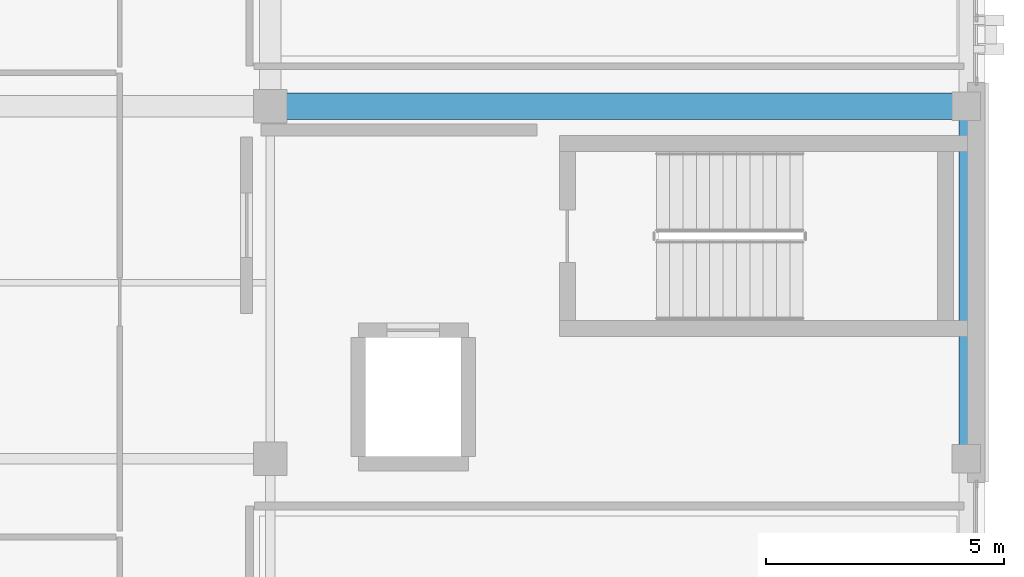
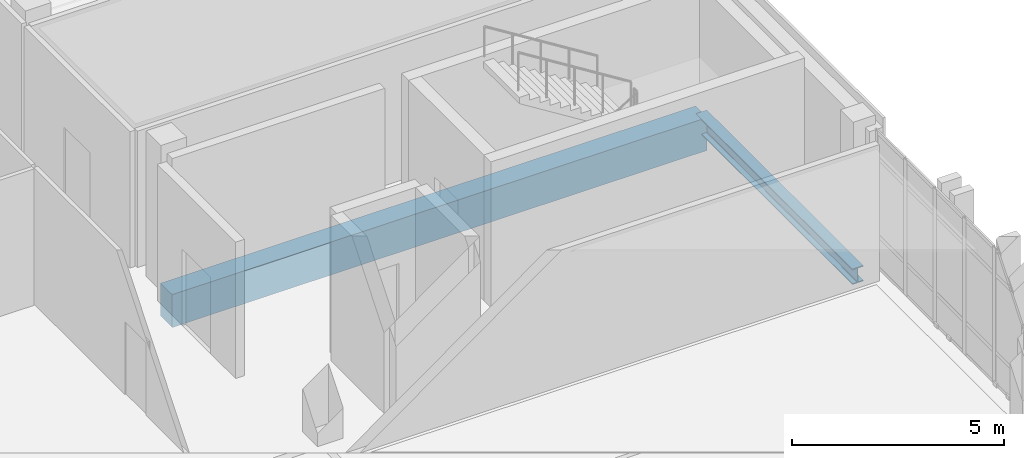
# One storey, part 37 of 77: 2 beams.
"""IFC4 building model written with IfcOpenShell, lengths in metres."""

from ifc_helpers import new_model, si_unit, direction, frame, origin, origin_2d, place, context, subcontext, project, spatial, rectangle, i_section, extrude, material, material_profile, profile_set, type_object, element, save


model = new_model("IFC4")

# Units and contexts
model_context = context("Model", 3, precision=1e-05, world=origin(), true_north=direction((0.0, 1.0)))
body_context = subcontext(model_context, "Body", "Model", "MODEL_VIEW")
ifc_project = project(units=[si_unit("LENGTHUNIT", "METRE"), si_unit("AREAUNIT", "SQUARE_METRE"), si_unit("VOLUMEUNIT", "CUBIC_METRE"), si_unit("PLANEANGLEUNIT", "RADIAN"), si_unit("MASSUNIT", "GRAM", prefix="KILO")], contexts=[model_context])

# Site, building, storey
site_placement = place(None, origin())
site = spatial("IfcSite", under=ifc_project, at=site_placement, CompositionType="ELEMENT")
building_placement = place(site_placement, origin())
building = spatial("IfcBuilding", under=site, at=building_placement, Name="Qalavern Law Courts", CompositionType="ELEMENT")
storey_placement = place(building_placement, frame((0.0, 0.0, 27.0)))
storey = spatial("IfcBuildingStorey", under=building, at=storey_placement, Name="L06", CompositionType="ELEMENT", Elevation=27.0)

# Beams
ifc_material_1 = material(Name="Concrete C40/50", Category="concrete")
ifc_material_profile_1 = material_profile(ifc_material_1, rectangle(XDim=0.550048828125, YDim=0.949951171875, at=origin_2d()), Name="RC 550x950")
ifc_profile_set_1 = profile_set([ifc_material_profile_1], Name="Concrete C40/50")
beam_type_1 = type_object("IfcBeamType", Name="STR-BM-RC550x950", PredefinedType="BEAM", material=ifc_profile_set_1)
beam_1_placement = place(storey_placement, frame((91.800048828125, 72.800048828125, -0.7451171875), z_axis=(1.0, 0.0, 0.0), x_axis=(0.0, 1.0, 0.0)))
element("IfcBeam", 1, at=beam_1_placement, inside=storey, type_object=beam_type_1, Name="V4 X-beam 5-2 L06", PredefinedType="BEAM", context=body_context, shape_type="SweptSolid", body=[
    extrude(rectangle(XDim=0.550048828125, YDim=0.949951171875, at=origin_2d()), origin(), (0.0, 0.0, 1.0), 14.599853515625),
])
ifc_material_2 = material(Name="Steel S355", Category="steel")
ifc_material_profile_2 = material_profile(ifc_material_2, i_section(OverallWidth=0.300048828125, OverallDepth=0.449951171875, WebThickness=0.013916015625, FlangeThickness=0.02587890625, FilletRadius=0.027099609375, at=origin_2d()), Name="HEB 450")
ifc_profile_set_2 = profile_set([ifc_material_profile_2], Name="Steel S355")
beam_type_2 = type_object("IfcBeamType", Name="STR-SP-HEB450", PredefinedType="SPANDREL", material=ifc_profile_set_2)
beam_2_placement = place(storey_placement, frame((106.39990234375, 65.39990234375, -0.4951171875), z_axis=(0.0, 1.0, 0.0), x_axis=(-1.0, 0.0, 0.0)))
element("IfcBeam", 2, at=beam_2_placement, inside=storey, type_object=beam_type_2, Name="V4 Y-beam 3-4 L06", PredefinedType="SPANDREL", context=body_context, shape_type="SweptSolid", body=[
    extrude(i_section(OverallWidth=0.300048828125, OverallDepth=0.449951171875, WebThickness=0.013916015625, FlangeThickness=0.02587890625, FilletRadius=0.027099609375, at=origin_2d()), origin(), (0.0, 0.0, 1.0), 7.400146484375),
])

save(model, "model.ifc")
